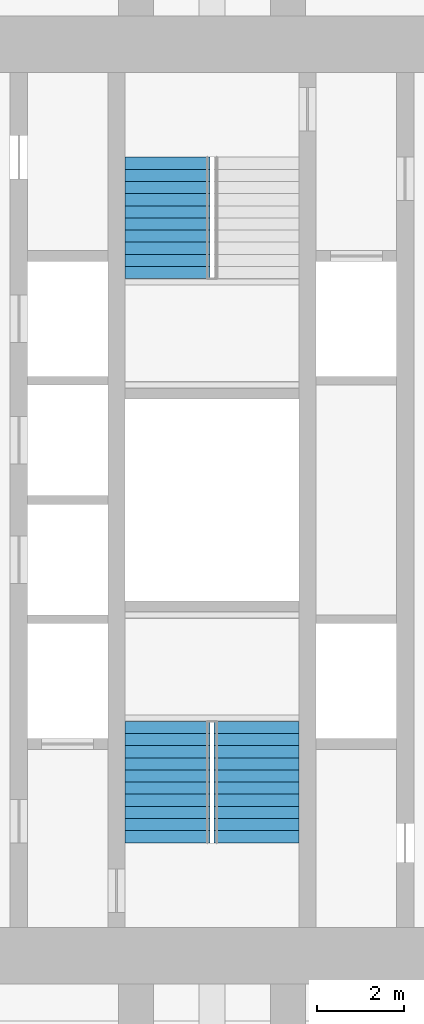
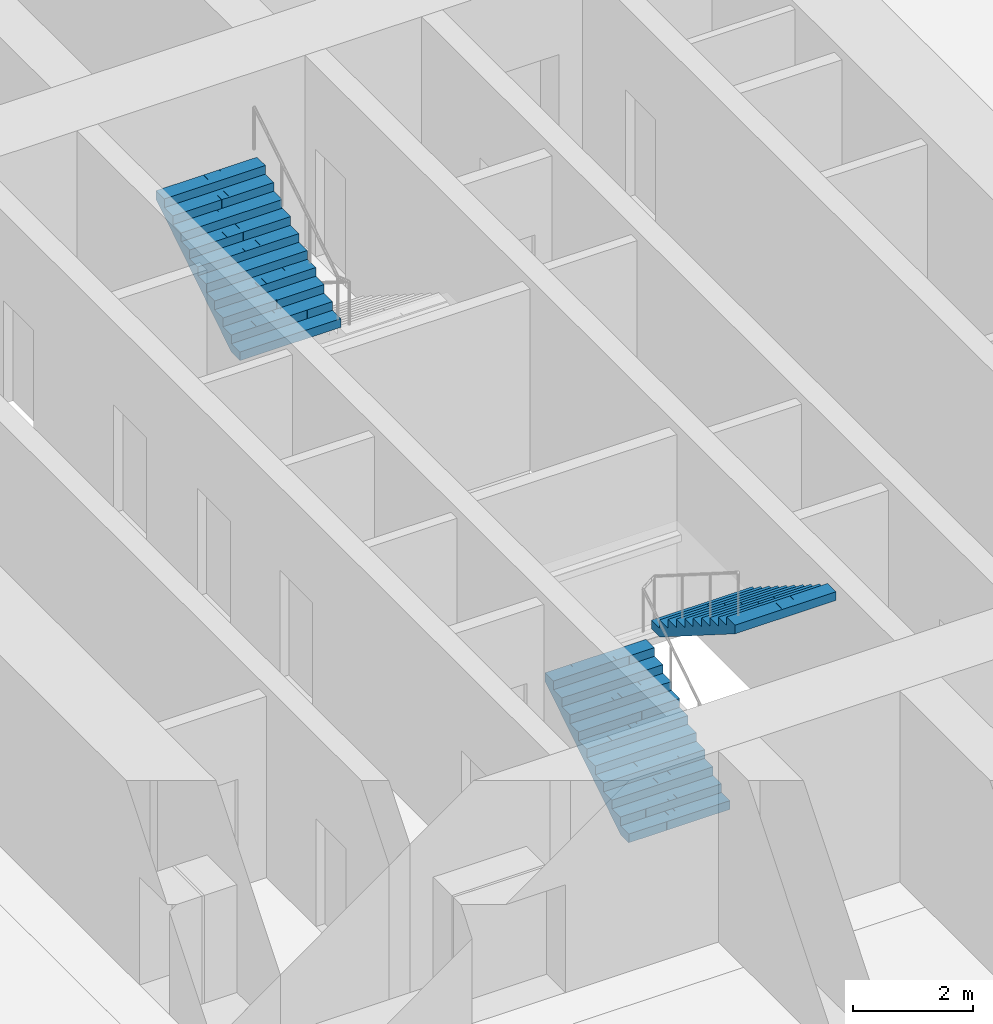
# One storey, part 18 of 20: 3 stair flights, 2 elements without a shape of their own.
"""IFC4 building model written with IfcOpenShell, lengths in metres."""

from ifc_helpers import new_model, si_unit, direction, frame, origin, place, context, subcontext, project, spatial, polyline, outline, extrude, material, type_object, element, aggregate, save


model = new_model("IFC4")

# Units and contexts
model_context = context("Model", 3, precision=1e-05, world=origin(), true_north=direction((0.0, 1.0)))
body_context = subcontext(model_context, "Body", "Model", "MODEL_VIEW")
ifc_project = project(units=[si_unit("LENGTHUNIT", "METRE"), si_unit("AREAUNIT", "SQUARE_METRE"), si_unit("VOLUMEUNIT", "CUBIC_METRE"), si_unit("PLANEANGLEUNIT", "RADIAN"), si_unit("MASSUNIT", "GRAM", prefix="KILO")], contexts=[model_context])

# Site, building, storey
site_placement = place(None, origin())
site = spatial("IfcSite", under=ifc_project, at=site_placement, CompositionType="ELEMENT")
building_placement = place(site_placement, origin())
building = spatial("IfcBuilding", under=site, at=building_placement, Name="Mizan Broadcast Tower", CompositionType="ELEMENT")
storey_placement = place(building_placement, frame((0.0, 0.0, 147.60009765625)))
storey = spatial("IfcBuildingStorey", under=building, at=storey_placement, Name="L33", CompositionType="ELEMENT", Elevation=147.60009765625)

# Stair, stair flights
ifc_material_1 = material(Name="Concrete C40/50", Category="concrete")
stair_type = type_object("IfcStairType", Name="EXIT STAIR", PredefinedType="HALF_TURN_STAIR", material=ifc_material_1)
stair_1_placement = place(storey_placement, origin())
stair_1 = element("IfcStair", 1, at=stair_1_placement, inside=storey, type_object=stair_type, Name="Stair A L33", PredefinedType="HALF_TURN_STAIR")
ifc_material_2 = material(Name="Concrete C40/50", Category="concrete")
stair_flight_type = type_object("IfcStairFlightType", Name="EXIT STAIR FLIGHT", PredefinedType="STRAIGHT", material=ifc_material_2)
stair_flight_1_placement = place(storey_placement, frame((-1.02490234375, -7.89990234375, 0.0), z_axis=(0.0, 0.0, 1.0), x_axis=(0.0, 1.0, 0.0)))
stair_flight_1 = element("IfcStairFlight", 2, at=stair_flight_1_placement, type_object=stair_flight_type, Name="A flight 1", NumberOfRisers=11, NumberOfTreads=10, PredefinedType="STRAIGHT", RiserHeight=0.177272727, TreadLength=0.28, context=body_context, shape_type="SweptSolid", body=[
    extrude(outline(polyline([(0.0, 0.0), (0.0, 0.17724609375), (0.280029296875, 0.17724609375), (0.280029296875, 0.3544921875), (0.56005859375, 0.3544921875), (0.56005859375, 0.53173828125), (0.840087890625, 0.53173828125), (0.840087890625, 0.708984375), (1.1201171875, 0.708984375), (1.1201171875, 0.886474609375), (1.39990234375, 0.886474609375), (1.39990234375, 1.063720703125), (1.679931640625, 1.063720703125), (1.679931640625, 1.240966796875), (1.9599609375, 1.240966796875), (1.9599609375, 1.418212890625), (2.239990234375, 1.418212890625), (2.239990234375, 1.595458984375), (2.52001953125, 1.595458984375), (2.52001953125, 1.772705078125), (2.800048828125, 1.772705078125), (2.800048828125, 1.949951171875), (2.800048828125, 1.59521484375), (0.2802734375, 0.0), (0.0, 0.0)])), frame((0.0, 0.97509765625, 0.0), z_axis=(0.0, -1.0, 0.0), x_axis=(1.0, 0.0, 0.0)), (0.0, 0.0, 1.0), 0.4873046875),
    extrude(outline(polyline([(0.0, 0.0), (0.0, 0.17724609375), (0.280029296875, 0.17724609375), (0.280029296875, 0.3544921875), (0.56005859375, 0.3544921875), (0.56005859375, 0.53173828125), (0.840087890625, 0.53173828125), (0.840087890625, 0.708984375), (1.1201171875, 0.708984375), (1.1201171875, 0.886474609375), (1.39990234375, 0.886474609375), (1.39990234375, 1.063720703125), (1.679931640625, 1.063720703125), (1.679931640625, 1.240966796875), (1.9599609375, 1.240966796875), (1.9599609375, 1.418212890625), (2.239990234375, 1.418212890625), (2.239990234375, 1.595458984375), (2.52001953125, 1.595458984375), (2.52001953125, 1.772705078125), (2.800048828125, 1.772705078125), (2.800048828125, 1.949951171875), (2.800048828125, 1.59521484375), (0.2802734375, 0.0), (0.0, 0.0)])), frame((0.0, 0.4873046875, 0.0), z_axis=(0.0, -1.0, 0.0), x_axis=(1.0, 0.0, 0.0)), (0.0, 0.0, 1.0), 0.2431640625),
    extrude(outline(polyline([(0.0, 0.0), (0.0, 0.17724609375), (0.280029296875, 0.17724609375), (0.280029296875, 0.3544921875), (0.56005859375, 0.3544921875), (0.56005859375, 0.53173828125), (0.840087890625, 0.53173828125), (0.840087890625, 0.708984375), (1.1201171875, 0.708984375), (1.1201171875, 0.886474609375), (1.39990234375, 0.886474609375), (1.39990234375, 1.063720703125), (1.679931640625, 1.063720703125), (1.679931640625, 1.240966796875), (1.9599609375, 1.240966796875), (1.9599609375, 1.418212890625), (2.239990234375, 1.418212890625), (2.239990234375, 1.595458984375), (2.52001953125, 1.595458984375), (2.52001953125, 1.772705078125), (2.800048828125, 1.772705078125), (2.800048828125, 1.949951171875), (2.800048828125, 1.59521484375), (0.2802734375, 0.0), (0.0, 0.0)])), frame((0.0, 0.24365234375, 0.0), z_axis=(0.0, -1.0, 0.0), x_axis=(1.0, 0.0, 0.0)), (0.0, 0.0, 1.0), 0.121337890625),
    extrude(outline(polyline([(0.0, 0.0), (0.0, 0.17724609375), (0.280029296875, 0.17724609375), (0.280029296875, 0.3544921875), (0.56005859375, 0.3544921875), (0.56005859375, 0.53173828125), (0.840087890625, 0.53173828125), (0.840087890625, 0.708984375), (1.1201171875, 0.708984375), (1.1201171875, 0.886474609375), (1.39990234375, 0.886474609375), (1.39990234375, 1.063720703125), (1.679931640625, 1.063720703125), (1.679931640625, 1.240966796875), (1.9599609375, 1.240966796875), (1.9599609375, 1.418212890625), (2.239990234375, 1.418212890625), (2.239990234375, 1.595458984375), (2.52001953125, 1.595458984375), (2.52001953125, 1.772705078125), (2.800048828125, 1.772705078125), (2.800048828125, 1.949951171875), (2.800048828125, 1.59521484375), (0.2802734375, 0.0), (0.0, 0.0)])), frame((0.0, 0.121826171875, 0.0), z_axis=(0.0, -1.0, 0.0), x_axis=(1.0, 0.0, 0.0)), (0.0, 0.0, 1.0), 0.060546875),
    extrude(outline(polyline([(0.0, 0.0), (0.0, 0.17724609375), (0.280029296875, 0.17724609375), (0.280029296875, 0.3544921875), (0.56005859375, 0.3544921875), (0.56005859375, 0.53173828125), (0.840087890625, 0.53173828125), (0.840087890625, 0.708984375), (1.1201171875, 0.708984375), (1.1201171875, 0.886474609375), (1.39990234375, 0.886474609375), (1.39990234375, 1.063720703125), (1.679931640625, 1.063720703125), (1.679931640625, 1.240966796875), (1.9599609375, 1.240966796875), (1.9599609375, 1.418212890625), (2.239990234375, 1.418212890625), (2.239990234375, 1.595458984375), (2.52001953125, 1.595458984375), (2.52001953125, 1.772705078125), (2.800048828125, 1.772705078125), (2.800048828125, 1.949951171875), (2.800048828125, 1.59521484375), (0.2802734375, 0.0), (0.0, 0.0)])), frame((0.0, 0.060791015625, 0.0), z_axis=(0.0, -1.0, 0.0), x_axis=(1.0, 0.0, 0.0)), (0.0, 0.0, 1.0), 0.030029296875),
    extrude(outline(polyline([(0.0, 0.0), (0.0, 0.17724609375), (0.280029296875, 0.17724609375), (0.280029296875, 0.3544921875), (0.56005859375, 0.3544921875), (0.56005859375, 0.53173828125), (0.840087890625, 0.53173828125), (0.840087890625, 0.708984375), (1.1201171875, 0.708984375), (1.1201171875, 0.886474609375), (1.39990234375, 0.886474609375), (1.39990234375, 1.063720703125), (1.679931640625, 1.063720703125), (1.679931640625, 1.240966796875), (1.9599609375, 1.240966796875), (1.9599609375, 1.418212890625), (2.239990234375, 1.418212890625), (2.239990234375, 1.595458984375), (2.52001953125, 1.595458984375), (2.52001953125, 1.772705078125), (2.800048828125, 1.772705078125), (2.800048828125, 1.949951171875), (2.800048828125, 1.59521484375), (0.2802734375, 0.0), (0.0, 0.0)])), frame((0.0, 0.0302734375, 0.0), z_axis=(0.0, -1.0, 0.0), x_axis=(1.0, 0.0, 0.0)), (0.0, 0.0, 1.0), 0.060302734375),
    extrude(outline(polyline([(0.0, 0.0), (0.0, 0.17724609375), (0.280029296875, 0.17724609375), (0.280029296875, 0.3544921875), (0.56005859375, 0.3544921875), (0.56005859375, 0.53173828125), (0.840087890625, 0.53173828125), (0.840087890625, 0.708984375), (1.1201171875, 0.708984375), (1.1201171875, 0.886474609375), (1.39990234375, 0.886474609375), (1.39990234375, 1.063720703125), (1.679931640625, 1.063720703125), (1.679931640625, 1.240966796875), (1.9599609375, 1.240966796875), (1.9599609375, 1.418212890625), (2.239990234375, 1.418212890625), (2.239990234375, 1.595458984375), (2.52001953125, 1.595458984375), (2.52001953125, 1.772705078125), (2.800048828125, 1.772705078125), (2.800048828125, 1.949951171875), (2.800048828125, 1.59521484375), (0.2802734375, 0.0), (0.0, 0.0)])), frame((0.0, -0.030517578125, 0.0), z_axis=(0.0, -1.0, 0.0), x_axis=(1.0, 0.0, 0.0)), (0.0, 0.0, 1.0), 0.030029296875),
    extrude(outline(polyline([(0.0, 0.0), (0.0, 0.17724609375), (0.280029296875, 0.17724609375), (0.280029296875, 0.3544921875), (0.56005859375, 0.3544921875), (0.56005859375, 0.53173828125), (0.840087890625, 0.53173828125), (0.840087890625, 0.708984375), (1.1201171875, 0.708984375), (1.1201171875, 0.886474609375), (1.39990234375, 0.886474609375), (1.39990234375, 1.063720703125), (1.679931640625, 1.063720703125), (1.679931640625, 1.240966796875), (1.9599609375, 1.240966796875), (1.9599609375, 1.418212890625), (2.239990234375, 1.418212890625), (2.239990234375, 1.595458984375), (2.52001953125, 1.595458984375), (2.52001953125, 1.772705078125), (2.800048828125, 1.772705078125), (2.800048828125, 1.949951171875), (2.800048828125, 1.59521484375), (0.2802734375, 0.0), (0.0, 0.0)])), frame((0.0, -0.06103515625, 0.0), z_axis=(0.0, -1.0, 0.0), x_axis=(1.0, 0.0, 0.0)), (0.0, 0.0, 1.0), 0.060546875),
    extrude(outline(polyline([(0.0, 0.0), (0.0, 0.17724609375), (0.280029296875, 0.17724609375), (0.280029296875, 0.3544921875), (0.56005859375, 0.3544921875), (0.56005859375, 0.53173828125), (0.840087890625, 0.53173828125), (0.840087890625, 0.708984375), (1.1201171875, 0.708984375), (1.1201171875, 0.886474609375), (1.39990234375, 0.886474609375), (1.39990234375, 1.063720703125), (1.679931640625, 1.063720703125), (1.679931640625, 1.240966796875), (1.9599609375, 1.240966796875), (1.9599609375, 1.418212890625), (2.239990234375, 1.418212890625), (2.239990234375, 1.595458984375), (2.52001953125, 1.595458984375), (2.52001953125, 1.772705078125), (2.800048828125, 1.772705078125), (2.800048828125, 1.949951171875), (2.800048828125, 1.59521484375), (0.2802734375, 0.0), (0.0, 0.0)])), frame((0.0, -0.1220703125, 0.0), z_axis=(0.0, -1.0, 0.0), x_axis=(1.0, 0.0, 0.0)), (0.0, 0.0, 1.0), 0.121337890625),
    extrude(outline(polyline([(0.0, 0.0), (0.0, 0.17724609375), (0.280029296875, 0.17724609375), (0.280029296875, 0.3544921875), (0.56005859375, 0.3544921875), (0.56005859375, 0.53173828125), (0.840087890625, 0.53173828125), (0.840087890625, 0.708984375), (1.1201171875, 0.708984375), (1.1201171875, 0.886474609375), (1.39990234375, 0.886474609375), (1.39990234375, 1.063720703125), (1.679931640625, 1.063720703125), (1.679931640625, 1.240966796875), (1.9599609375, 1.240966796875), (1.9599609375, 1.418212890625), (2.239990234375, 1.418212890625), (2.239990234375, 1.595458984375), (2.52001953125, 1.595458984375), (2.52001953125, 1.772705078125), (2.800048828125, 1.772705078125), (2.800048828125, 1.949951171875), (2.800048828125, 1.59521484375), (0.2802734375, 0.0), (0.0, 0.0)])), frame((0.0, -0.243896484375, 0.0), z_axis=(0.0, -1.0, 0.0), x_axis=(1.0, 0.0, 0.0)), (0.0, 0.0, 1.0), 0.2431640625),
    extrude(outline(polyline([(0.0, 0.0), (0.0, 0.17724609375), (0.280029296875, 0.17724609375), (0.280029296875, 0.3544921875), (0.56005859375, 0.3544921875), (0.56005859375, 0.53173828125), (0.840087890625, 0.53173828125), (0.840087890625, 0.708984375), (1.1201171875, 0.708984375), (1.1201171875, 0.886474609375), (1.39990234375, 0.886474609375), (1.39990234375, 1.063720703125), (1.679931640625, 1.063720703125), (1.679931640625, 1.240966796875), (1.9599609375, 1.240966796875), (1.9599609375, 1.418212890625), (2.239990234375, 1.418212890625), (2.239990234375, 1.595458984375), (2.52001953125, 1.595458984375), (2.52001953125, 1.772705078125), (2.800048828125, 1.772705078125), (2.800048828125, 1.949951171875), (2.800048828125, 1.59521484375), (0.2802734375, 0.0), (0.0, 0.0)])), frame((0.0, -0.487548828125, 0.0), z_axis=(0.0, -1.0, 0.0), x_axis=(1.0, 0.0, 0.0)), (0.0, 0.0, 1.0), 0.4873046875),
])
stair_flight_2_placement = place(storey_placement, frame((1.02490234375, -5.10009765625, 1.949951171875), z_axis=(0.0, 0.0, 1.0), x_axis=(0.0, -1.0, 0.0)))
stair_flight_2 = element("IfcStairFlight", 3, at=stair_flight_2_placement, type_object=stair_flight_type, Name="A flight 2", NumberOfRisers=11, NumberOfTreads=10, PredefinedType="STRAIGHT", RiserHeight=0.177272727, TreadLength=0.28, context=body_context, shape_type="SweptSolid", body=[
    extrude(outline(polyline([(0.0, 0.0), (0.0, 0.17724609375), (0.280029296875, 0.17724609375), (0.280029296875, 0.3544921875), (0.56005859375, 0.3544921875), (0.56005859375, 0.53173828125), (0.840087890625, 0.53173828125), (0.840087890625, 0.708984375), (1.1201171875, 0.708984375), (1.1201171875, 0.886474609375), (1.39990234375, 0.886474609375), (1.39990234375, 1.063720703125), (1.679931640625, 1.063720703125), (1.679931640625, 1.240966796875), (1.9599609375, 1.240966796875), (1.9599609375, 1.418212890625), (2.239990234375, 1.418212890625), (2.239990234375, 1.595458984375), (2.52001953125, 1.595458984375), (2.52001953125, 1.772705078125), (2.800048828125, 1.772705078125), (2.800048828125, 1.949951171875), (2.800048828125, 1.59521484375), (0.2802734375, 0.0), (0.0, 0.0)])), frame((0.0, 0.97509765625, 0.0), z_axis=(0.0, -1.0, 0.0), x_axis=(1.0, 0.0, 0.0)), (0.0, 0.0, 1.0), 0.4873046875),
    extrude(outline(polyline([(0.0, 0.0), (0.0, 0.17724609375), (0.280029296875, 0.17724609375), (0.280029296875, 0.3544921875), (0.56005859375, 0.3544921875), (0.56005859375, 0.53173828125), (0.840087890625, 0.53173828125), (0.840087890625, 0.708984375), (1.1201171875, 0.708984375), (1.1201171875, 0.886474609375), (1.39990234375, 0.886474609375), (1.39990234375, 1.063720703125), (1.679931640625, 1.063720703125), (1.679931640625, 1.240966796875), (1.9599609375, 1.240966796875), (1.9599609375, 1.418212890625), (2.239990234375, 1.418212890625), (2.239990234375, 1.595458984375), (2.52001953125, 1.595458984375), (2.52001953125, 1.772705078125), (2.800048828125, 1.772705078125), (2.800048828125, 1.949951171875), (2.800048828125, 1.59521484375), (0.2802734375, 0.0), (0.0, 0.0)])), frame((0.0, 0.4873046875, 0.0), z_axis=(0.0, -1.0, 0.0), x_axis=(1.0, 0.0, 0.0)), (0.0, 0.0, 1.0), 0.2431640625),
    extrude(outline(polyline([(0.0, 0.0), (0.0, 0.17724609375), (0.280029296875, 0.17724609375), (0.280029296875, 0.3544921875), (0.56005859375, 0.3544921875), (0.56005859375, 0.53173828125), (0.840087890625, 0.53173828125), (0.840087890625, 0.708984375), (1.1201171875, 0.708984375), (1.1201171875, 0.886474609375), (1.39990234375, 0.886474609375), (1.39990234375, 1.063720703125), (1.679931640625, 1.063720703125), (1.679931640625, 1.240966796875), (1.9599609375, 1.240966796875), (1.9599609375, 1.418212890625), (2.239990234375, 1.418212890625), (2.239990234375, 1.595458984375), (2.52001953125, 1.595458984375), (2.52001953125, 1.772705078125), (2.800048828125, 1.772705078125), (2.800048828125, 1.949951171875), (2.800048828125, 1.59521484375), (0.2802734375, 0.0), (0.0, 0.0)])), frame((0.0, 0.24365234375, 0.0), z_axis=(0.0, -1.0, 0.0), x_axis=(1.0, 0.0, 0.0)), (0.0, 0.0, 1.0), 0.121337890625),
    extrude(outline(polyline([(0.0, 0.0), (0.0, 0.17724609375), (0.280029296875, 0.17724609375), (0.280029296875, 0.3544921875), (0.56005859375, 0.3544921875), (0.56005859375, 0.53173828125), (0.840087890625, 0.53173828125), (0.840087890625, 0.708984375), (1.1201171875, 0.708984375), (1.1201171875, 0.886474609375), (1.39990234375, 0.886474609375), (1.39990234375, 1.063720703125), (1.679931640625, 1.063720703125), (1.679931640625, 1.240966796875), (1.9599609375, 1.240966796875), (1.9599609375, 1.418212890625), (2.239990234375, 1.418212890625), (2.239990234375, 1.595458984375), (2.52001953125, 1.595458984375), (2.52001953125, 1.772705078125), (2.800048828125, 1.772705078125), (2.800048828125, 1.949951171875), (2.800048828125, 1.59521484375), (0.2802734375, 0.0), (0.0, 0.0)])), frame((0.0, 0.121826171875, 0.0), z_axis=(0.0, -1.0, 0.0), x_axis=(1.0, 0.0, 0.0)), (0.0, 0.0, 1.0), 0.060546875),
    extrude(outline(polyline([(0.0, 0.0), (0.0, 0.17724609375), (0.280029296875, 0.17724609375), (0.280029296875, 0.3544921875), (0.56005859375, 0.3544921875), (0.56005859375, 0.53173828125), (0.840087890625, 0.53173828125), (0.840087890625, 0.708984375), (1.1201171875, 0.708984375), (1.1201171875, 0.886474609375), (1.39990234375, 0.886474609375), (1.39990234375, 1.063720703125), (1.679931640625, 1.063720703125), (1.679931640625, 1.240966796875), (1.9599609375, 1.240966796875), (1.9599609375, 1.418212890625), (2.239990234375, 1.418212890625), (2.239990234375, 1.595458984375), (2.52001953125, 1.595458984375), (2.52001953125, 1.772705078125), (2.800048828125, 1.772705078125), (2.800048828125, 1.949951171875), (2.800048828125, 1.59521484375), (0.2802734375, 0.0), (0.0, 0.0)])), frame((0.0, 0.060791015625, 0.0), z_axis=(0.0, -1.0, 0.0), x_axis=(1.0, 0.0, 0.0)), (0.0, 0.0, 1.0), 0.030029296875),
    extrude(outline(polyline([(0.0, 0.0), (0.0, 0.17724609375), (0.280029296875, 0.17724609375), (0.280029296875, 0.3544921875), (0.56005859375, 0.3544921875), (0.56005859375, 0.53173828125), (0.840087890625, 0.53173828125), (0.840087890625, 0.708984375), (1.1201171875, 0.708984375), (1.1201171875, 0.886474609375), (1.39990234375, 0.886474609375), (1.39990234375, 1.063720703125), (1.679931640625, 1.063720703125), (1.679931640625, 1.240966796875), (1.9599609375, 1.240966796875), (1.9599609375, 1.418212890625), (2.239990234375, 1.418212890625), (2.239990234375, 1.595458984375), (2.52001953125, 1.595458984375), (2.52001953125, 1.772705078125), (2.800048828125, 1.772705078125), (2.800048828125, 1.949951171875), (2.800048828125, 1.59521484375), (0.2802734375, 0.0), (0.0, 0.0)])), frame((0.0, 0.0302734375, 0.0), z_axis=(0.0, -1.0, 0.0), x_axis=(1.0, 0.0, 0.0)), (0.0, 0.0, 1.0), 0.060302734375),
    extrude(outline(polyline([(0.0, 0.0), (0.0, 0.17724609375), (0.280029296875, 0.17724609375), (0.280029296875, 0.3544921875), (0.56005859375, 0.3544921875), (0.56005859375, 0.53173828125), (0.840087890625, 0.53173828125), (0.840087890625, 0.708984375), (1.1201171875, 0.708984375), (1.1201171875, 0.886474609375), (1.39990234375, 0.886474609375), (1.39990234375, 1.063720703125), (1.679931640625, 1.063720703125), (1.679931640625, 1.240966796875), (1.9599609375, 1.240966796875), (1.9599609375, 1.418212890625), (2.239990234375, 1.418212890625), (2.239990234375, 1.595458984375), (2.52001953125, 1.595458984375), (2.52001953125, 1.772705078125), (2.800048828125, 1.772705078125), (2.800048828125, 1.949951171875), (2.800048828125, 1.59521484375), (0.2802734375, 0.0), (0.0, 0.0)])), frame((0.0, -0.030517578125, 0.0), z_axis=(0.0, -1.0, 0.0), x_axis=(1.0, 0.0, 0.0)), (0.0, 0.0, 1.0), 0.030029296875),
    extrude(outline(polyline([(0.0, 0.0), (0.0, 0.17724609375), (0.280029296875, 0.17724609375), (0.280029296875, 0.3544921875), (0.56005859375, 0.3544921875), (0.56005859375, 0.53173828125), (0.840087890625, 0.53173828125), (0.840087890625, 0.708984375), (1.1201171875, 0.708984375), (1.1201171875, 0.886474609375), (1.39990234375, 0.886474609375), (1.39990234375, 1.063720703125), (1.679931640625, 1.063720703125), (1.679931640625, 1.240966796875), (1.9599609375, 1.240966796875), (1.9599609375, 1.418212890625), (2.239990234375, 1.418212890625), (2.239990234375, 1.595458984375), (2.52001953125, 1.595458984375), (2.52001953125, 1.772705078125), (2.800048828125, 1.772705078125), (2.800048828125, 1.949951171875), (2.800048828125, 1.59521484375), (0.2802734375, 0.0), (0.0, 0.0)])), frame((0.0, -0.06103515625, 0.0), z_axis=(0.0, -1.0, 0.0), x_axis=(1.0, 0.0, 0.0)), (0.0, 0.0, 1.0), 0.060546875),
    extrude(outline(polyline([(0.0, 0.0), (0.0, 0.17724609375), (0.280029296875, 0.17724609375), (0.280029296875, 0.3544921875), (0.56005859375, 0.3544921875), (0.56005859375, 0.53173828125), (0.840087890625, 0.53173828125), (0.840087890625, 0.708984375), (1.1201171875, 0.708984375), (1.1201171875, 0.886474609375), (1.39990234375, 0.886474609375), (1.39990234375, 1.063720703125), (1.679931640625, 1.063720703125), (1.679931640625, 1.240966796875), (1.9599609375, 1.240966796875), (1.9599609375, 1.418212890625), (2.239990234375, 1.418212890625), (2.239990234375, 1.595458984375), (2.52001953125, 1.595458984375), (2.52001953125, 1.772705078125), (2.800048828125, 1.772705078125), (2.800048828125, 1.949951171875), (2.800048828125, 1.59521484375), (0.2802734375, 0.0), (0.0, 0.0)])), frame((0.0, -0.1220703125, 0.0), z_axis=(0.0, -1.0, 0.0), x_axis=(1.0, 0.0, 0.0)), (0.0, 0.0, 1.0), 0.121337890625),
    extrude(outline(polyline([(0.0, 0.0), (0.0, 0.17724609375), (0.280029296875, 0.17724609375), (0.280029296875, 0.3544921875), (0.56005859375, 0.3544921875), (0.56005859375, 0.53173828125), (0.840087890625, 0.53173828125), (0.840087890625, 0.708984375), (1.1201171875, 0.708984375), (1.1201171875, 0.886474609375), (1.39990234375, 0.886474609375), (1.39990234375, 1.063720703125), (1.679931640625, 1.063720703125), (1.679931640625, 1.240966796875), (1.9599609375, 1.240966796875), (1.9599609375, 1.418212890625), (2.239990234375, 1.418212890625), (2.239990234375, 1.595458984375), (2.52001953125, 1.595458984375), (2.52001953125, 1.772705078125), (2.800048828125, 1.772705078125), (2.800048828125, 1.949951171875), (2.800048828125, 1.59521484375), (0.2802734375, 0.0), (0.0, 0.0)])), frame((0.0, -0.243896484375, 0.0), z_axis=(0.0, -1.0, 0.0), x_axis=(1.0, 0.0, 0.0)), (0.0, 0.0, 1.0), 0.2431640625),
    extrude(outline(polyline([(0.0, 0.0), (0.0, 0.17724609375), (0.280029296875, 0.17724609375), (0.280029296875, 0.3544921875), (0.56005859375, 0.3544921875), (0.56005859375, 0.53173828125), (0.840087890625, 0.53173828125), (0.840087890625, 0.708984375), (1.1201171875, 0.708984375), (1.1201171875, 0.886474609375), (1.39990234375, 0.886474609375), (1.39990234375, 1.063720703125), (1.679931640625, 1.063720703125), (1.679931640625, 1.240966796875), (1.9599609375, 1.240966796875), (1.9599609375, 1.418212890625), (2.239990234375, 1.418212890625), (2.239990234375, 1.595458984375), (2.52001953125, 1.595458984375), (2.52001953125, 1.772705078125), (2.800048828125, 1.772705078125), (2.800048828125, 1.949951171875), (2.800048828125, 1.59521484375), (0.2802734375, 0.0), (0.0, 0.0)])), frame((0.0, -0.487548828125, 0.0), z_axis=(0.0, -1.0, 0.0), x_axis=(1.0, 0.0, 0.0)), (0.0, 0.0, 1.0), 0.4873046875),
])
aggregate(stair_1, [stair_flight_1, stair_flight_2])

# Stair, stair flight
stair_2_placement = place(storey_placement, origin())
stair_2 = element("IfcStair", 4, at=stair_2_placement, inside=storey, type_object=stair_type, Name="Stair B L33", PredefinedType="HALF_TURN_STAIR")
stair_flight_3_placement = place(storey_placement, frame((-1.02490234375, 5.10009765625, 1.949951171875), z_axis=(0.0, 0.0, 1.0), x_axis=(0.0, 1.0, 0.0)))
stair_flight_3 = element("IfcStairFlight", 5, at=stair_flight_3_placement, type_object=stair_flight_type, Name="B flight 2", NumberOfRisers=11, NumberOfTreads=10, PredefinedType="STRAIGHT", RiserHeight=0.177272727, TreadLength=0.28, context=body_context, shape_type="SweptSolid", body=[
    extrude(outline(polyline([(0.0, 0.0), (0.0, 0.17724609375), (0.280029296875, 0.17724609375), (0.280029296875, 0.3544921875), (0.56005859375, 0.3544921875), (0.56005859375, 0.53173828125), (0.840087890625, 0.53173828125), (0.840087890625, 0.708984375), (1.1201171875, 0.708984375), (1.1201171875, 0.886474609375), (1.39990234375, 0.886474609375), (1.39990234375, 1.063720703125), (1.679931640625, 1.063720703125), (1.679931640625, 1.240966796875), (1.9599609375, 1.240966796875), (1.9599609375, 1.418212890625), (2.239990234375, 1.418212890625), (2.239990234375, 1.595458984375), (2.52001953125, 1.595458984375), (2.52001953125, 1.772705078125), (2.800048828125, 1.772705078125), (2.800048828125, 1.949951171875), (2.800048828125, 1.59521484375), (0.2802734375, 0.0), (0.0, 0.0)])), frame((0.0, 0.97509765625, 0.0), z_axis=(0.0, -1.0, 0.0), x_axis=(1.0, 0.0, 0.0)), (0.0, 0.0, 1.0), 0.4873046875),
    extrude(outline(polyline([(0.0, 0.0), (0.0, 0.17724609375), (0.280029296875, 0.17724609375), (0.280029296875, 0.3544921875), (0.56005859375, 0.3544921875), (0.56005859375, 0.53173828125), (0.840087890625, 0.53173828125), (0.840087890625, 0.708984375), (1.1201171875, 0.708984375), (1.1201171875, 0.886474609375), (1.39990234375, 0.886474609375), (1.39990234375, 1.063720703125), (1.679931640625, 1.063720703125), (1.679931640625, 1.240966796875), (1.9599609375, 1.240966796875), (1.9599609375, 1.418212890625), (2.239990234375, 1.418212890625), (2.239990234375, 1.595458984375), (2.52001953125, 1.595458984375), (2.52001953125, 1.772705078125), (2.800048828125, 1.772705078125), (2.800048828125, 1.949951171875), (2.800048828125, 1.59521484375), (0.2802734375, 0.0), (0.0, 0.0)])), frame((0.0, 0.4873046875, 0.0), z_axis=(0.0, -1.0, 0.0), x_axis=(1.0, 0.0, 0.0)), (0.0, 0.0, 1.0), 0.2431640625),
    extrude(outline(polyline([(0.0, 0.0), (0.0, 0.17724609375), (0.280029296875, 0.17724609375), (0.280029296875, 0.3544921875), (0.56005859375, 0.3544921875), (0.56005859375, 0.53173828125), (0.840087890625, 0.53173828125), (0.840087890625, 0.708984375), (1.1201171875, 0.708984375), (1.1201171875, 0.886474609375), (1.39990234375, 0.886474609375), (1.39990234375, 1.063720703125), (1.679931640625, 1.063720703125), (1.679931640625, 1.240966796875), (1.9599609375, 1.240966796875), (1.9599609375, 1.418212890625), (2.239990234375, 1.418212890625), (2.239990234375, 1.595458984375), (2.52001953125, 1.595458984375), (2.52001953125, 1.772705078125), (2.800048828125, 1.772705078125), (2.800048828125, 1.949951171875), (2.800048828125, 1.59521484375), (0.2802734375, 0.0), (0.0, 0.0)])), frame((0.0, 0.24365234375, 0.0), z_axis=(0.0, -1.0, 0.0), x_axis=(1.0, 0.0, 0.0)), (0.0, 0.0, 1.0), 0.121337890625),
    extrude(outline(polyline([(0.0, 0.0), (0.0, 0.17724609375), (0.280029296875, 0.17724609375), (0.280029296875, 0.3544921875), (0.56005859375, 0.3544921875), (0.56005859375, 0.53173828125), (0.840087890625, 0.53173828125), (0.840087890625, 0.708984375), (1.1201171875, 0.708984375), (1.1201171875, 0.886474609375), (1.39990234375, 0.886474609375), (1.39990234375, 1.063720703125), (1.679931640625, 1.063720703125), (1.679931640625, 1.240966796875), (1.9599609375, 1.240966796875), (1.9599609375, 1.418212890625), (2.239990234375, 1.418212890625), (2.239990234375, 1.595458984375), (2.52001953125, 1.595458984375), (2.52001953125, 1.772705078125), (2.800048828125, 1.772705078125), (2.800048828125, 1.949951171875), (2.800048828125, 1.59521484375), (0.2802734375, 0.0), (0.0, 0.0)])), frame((0.0, 0.121826171875, 0.0), z_axis=(0.0, -1.0, 0.0), x_axis=(1.0, 0.0, 0.0)), (0.0, 0.0, 1.0), 0.060546875),
    extrude(outline(polyline([(0.0, 0.0), (0.0, 0.17724609375), (0.280029296875, 0.17724609375), (0.280029296875, 0.3544921875), (0.56005859375, 0.3544921875), (0.56005859375, 0.53173828125), (0.840087890625, 0.53173828125), (0.840087890625, 0.708984375), (1.1201171875, 0.708984375), (1.1201171875, 0.886474609375), (1.39990234375, 0.886474609375), (1.39990234375, 1.063720703125), (1.679931640625, 1.063720703125), (1.679931640625, 1.240966796875), (1.9599609375, 1.240966796875), (1.9599609375, 1.418212890625), (2.239990234375, 1.418212890625), (2.239990234375, 1.595458984375), (2.52001953125, 1.595458984375), (2.52001953125, 1.772705078125), (2.800048828125, 1.772705078125), (2.800048828125, 1.949951171875), (2.800048828125, 1.59521484375), (0.2802734375, 0.0), (0.0, 0.0)])), frame((0.0, 0.060791015625, 0.0), z_axis=(0.0, -1.0, 0.0), x_axis=(1.0, 0.0, 0.0)), (0.0, 0.0, 1.0), 0.030029296875),
    extrude(outline(polyline([(0.0, 0.0), (0.0, 0.17724609375), (0.280029296875, 0.17724609375), (0.280029296875, 0.3544921875), (0.56005859375, 0.3544921875), (0.56005859375, 0.53173828125), (0.840087890625, 0.53173828125), (0.840087890625, 0.708984375), (1.1201171875, 0.708984375), (1.1201171875, 0.886474609375), (1.39990234375, 0.886474609375), (1.39990234375, 1.063720703125), (1.679931640625, 1.063720703125), (1.679931640625, 1.240966796875), (1.9599609375, 1.240966796875), (1.9599609375, 1.418212890625), (2.239990234375, 1.418212890625), (2.239990234375, 1.595458984375), (2.52001953125, 1.595458984375), (2.52001953125, 1.772705078125), (2.800048828125, 1.772705078125), (2.800048828125, 1.949951171875), (2.800048828125, 1.59521484375), (0.2802734375, 0.0), (0.0, 0.0)])), frame((0.0, 0.0302734375, 0.0), z_axis=(0.0, -1.0, 0.0), x_axis=(1.0, 0.0, 0.0)), (0.0, 0.0, 1.0), 0.060302734375),
    extrude(outline(polyline([(0.0, 0.0), (0.0, 0.17724609375), (0.280029296875, 0.17724609375), (0.280029296875, 0.3544921875), (0.56005859375, 0.3544921875), (0.56005859375, 0.53173828125), (0.840087890625, 0.53173828125), (0.840087890625, 0.708984375), (1.1201171875, 0.708984375), (1.1201171875, 0.886474609375), (1.39990234375, 0.886474609375), (1.39990234375, 1.063720703125), (1.679931640625, 1.063720703125), (1.679931640625, 1.240966796875), (1.9599609375, 1.240966796875), (1.9599609375, 1.418212890625), (2.239990234375, 1.418212890625), (2.239990234375, 1.595458984375), (2.52001953125, 1.595458984375), (2.52001953125, 1.772705078125), (2.800048828125, 1.772705078125), (2.800048828125, 1.949951171875), (2.800048828125, 1.59521484375), (0.2802734375, 0.0), (0.0, 0.0)])), frame((0.0, -0.030517578125, 0.0), z_axis=(0.0, -1.0, 0.0), x_axis=(1.0, 0.0, 0.0)), (0.0, 0.0, 1.0), 0.030029296875),
    extrude(outline(polyline([(0.0, 0.0), (0.0, 0.17724609375), (0.280029296875, 0.17724609375), (0.280029296875, 0.3544921875), (0.56005859375, 0.3544921875), (0.56005859375, 0.53173828125), (0.840087890625, 0.53173828125), (0.840087890625, 0.708984375), (1.1201171875, 0.708984375), (1.1201171875, 0.886474609375), (1.39990234375, 0.886474609375), (1.39990234375, 1.063720703125), (1.679931640625, 1.063720703125), (1.679931640625, 1.240966796875), (1.9599609375, 1.240966796875), (1.9599609375, 1.418212890625), (2.239990234375, 1.418212890625), (2.239990234375, 1.595458984375), (2.52001953125, 1.595458984375), (2.52001953125, 1.772705078125), (2.800048828125, 1.772705078125), (2.800048828125, 1.949951171875), (2.800048828125, 1.59521484375), (0.2802734375, 0.0), (0.0, 0.0)])), frame((0.0, -0.06103515625, 0.0), z_axis=(0.0, -1.0, 0.0), x_axis=(1.0, 0.0, 0.0)), (0.0, 0.0, 1.0), 0.060546875),
    extrude(outline(polyline([(0.0, 0.0), (0.0, 0.17724609375), (0.280029296875, 0.17724609375), (0.280029296875, 0.3544921875), (0.56005859375, 0.3544921875), (0.56005859375, 0.53173828125), (0.840087890625, 0.53173828125), (0.840087890625, 0.708984375), (1.1201171875, 0.708984375), (1.1201171875, 0.886474609375), (1.39990234375, 0.886474609375), (1.39990234375, 1.063720703125), (1.679931640625, 1.063720703125), (1.679931640625, 1.240966796875), (1.9599609375, 1.240966796875), (1.9599609375, 1.418212890625), (2.239990234375, 1.418212890625), (2.239990234375, 1.595458984375), (2.52001953125, 1.595458984375), (2.52001953125, 1.772705078125), (2.800048828125, 1.772705078125), (2.800048828125, 1.949951171875), (2.800048828125, 1.59521484375), (0.2802734375, 0.0), (0.0, 0.0)])), frame((0.0, -0.1220703125, 0.0), z_axis=(0.0, -1.0, 0.0), x_axis=(1.0, 0.0, 0.0)), (0.0, 0.0, 1.0), 0.121337890625),
    extrude(outline(polyline([(0.0, 0.0), (0.0, 0.17724609375), (0.280029296875, 0.17724609375), (0.280029296875, 0.3544921875), (0.56005859375, 0.3544921875), (0.56005859375, 0.53173828125), (0.840087890625, 0.53173828125), (0.840087890625, 0.708984375), (1.1201171875, 0.708984375), (1.1201171875, 0.886474609375), (1.39990234375, 0.886474609375), (1.39990234375, 1.063720703125), (1.679931640625, 1.063720703125), (1.679931640625, 1.240966796875), (1.9599609375, 1.240966796875), (1.9599609375, 1.418212890625), (2.239990234375, 1.418212890625), (2.239990234375, 1.595458984375), (2.52001953125, 1.595458984375), (2.52001953125, 1.772705078125), (2.800048828125, 1.772705078125), (2.800048828125, 1.949951171875), (2.800048828125, 1.59521484375), (0.2802734375, 0.0), (0.0, 0.0)])), frame((0.0, -0.243896484375, 0.0), z_axis=(0.0, -1.0, 0.0), x_axis=(1.0, 0.0, 0.0)), (0.0, 0.0, 1.0), 0.2431640625),
    extrude(outline(polyline([(0.0, 0.0), (0.0, 0.17724609375), (0.280029296875, 0.17724609375), (0.280029296875, 0.3544921875), (0.56005859375, 0.3544921875), (0.56005859375, 0.53173828125), (0.840087890625, 0.53173828125), (0.840087890625, 0.708984375), (1.1201171875, 0.708984375), (1.1201171875, 0.886474609375), (1.39990234375, 0.886474609375), (1.39990234375, 1.063720703125), (1.679931640625, 1.063720703125), (1.679931640625, 1.240966796875), (1.9599609375, 1.240966796875), (1.9599609375, 1.418212890625), (2.239990234375, 1.418212890625), (2.239990234375, 1.595458984375), (2.52001953125, 1.595458984375), (2.52001953125, 1.772705078125), (2.800048828125, 1.772705078125), (2.800048828125, 1.949951171875), (2.800048828125, 1.59521484375), (0.2802734375, 0.0), (0.0, 0.0)])), frame((0.0, -0.487548828125, 0.0), z_axis=(0.0, -1.0, 0.0), x_axis=(1.0, 0.0, 0.0)), (0.0, 0.0, 1.0), 0.4873046875),
])
aggregate(stair_2, [stair_flight_3])

save(model, "model.ifc")
